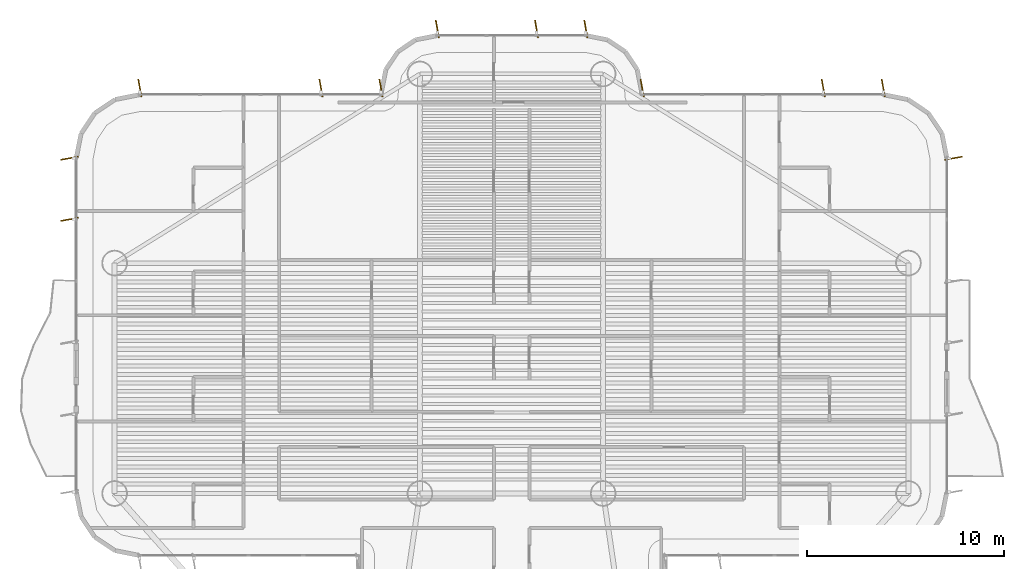
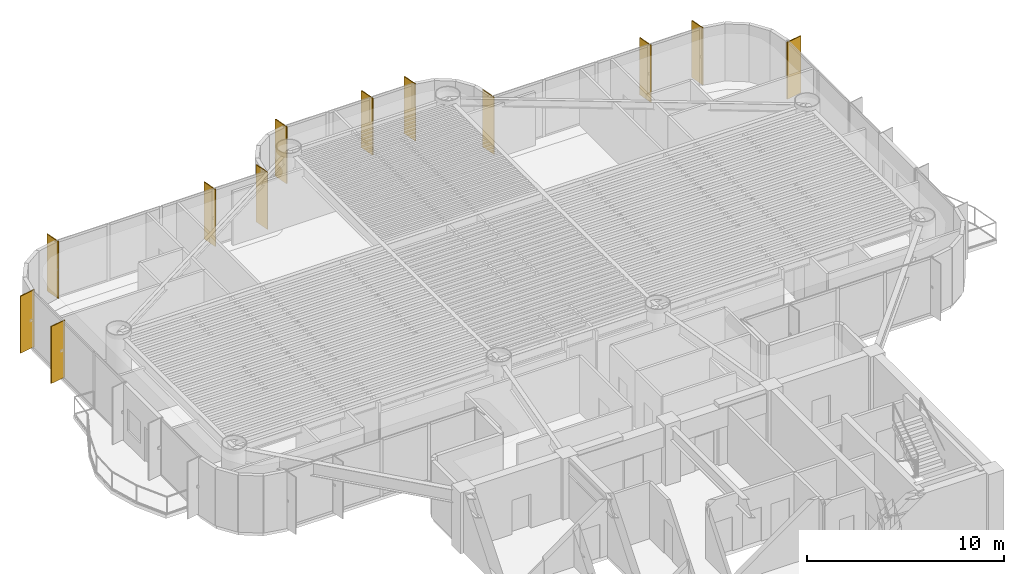
# One storey, part 17 of 17: 12 shading devices.
"""IFC4 building model written with IfcOpenShell, lengths in metres."""

import ifcopenshell
import ifcopenshell.guid

model = None  # the IFC model being written
_history = None  # IfcOwnerHistory: only IFC2X3 demands one
_inside = {}  # id of a spatial element -> (the spatial element, [elements in it])
_under = {}  # id of a project, library or spatial element -> (it, [spatial elements below it])
_declared = {}  # id of a project -> (the project, [libraries it declares])
_typed = {}  # id of a type object -> (the type object, [elements of that type])
_made_of = {}  # id of a material, layer set ... -> (it, [elements and type objects made of it])


def new_model(schema):
    """Start an empty IFC model of exactly this schema.

    Asked for "IFC4X3", IfcOpenShell would pick the latest addendum, in which some entities
    have other attributes; the version numbers below select the first issue.
    IFC2X3 requires an IfcOwnerHistory on every rooted entity: one is made here for all.
    """
    global model, _history
    if schema == "IFC4X3":
        model = ifcopenshell.file(schema_version=(4, 3, 0, 0))
    else:
        model = ifcopenshell.file(schema=schema)
    _inside.clear()
    _under.clear()
    _declared.clear()
    _typed.clear()
    _made_of.clear()
    _history = None
    if model.schema == "IFC2X3":
        org = make("IfcOrganization", Name="unknown")
        user = make(
            "IfcPersonAndOrganization",
            ThePerson=make("IfcPerson", FamilyName="unknown"),
            TheOrganization=org,
        )
        app = make(
            "IfcApplication",
            ApplicationDeveloper=org,
            Version="unknown",
            ApplicationFullName="unknown",
            ApplicationIdentifier="unknown",
        )
        _history = make(
            "IfcOwnerHistory",
            OwningUser=user,
            OwningApplication=app,
            ChangeAction="ADDED",
            CreationDate=0,
        )
    return model


def make(cls, **values):
    """One entity of the class cls with the attributes given. An attribute that is None is left unset."""
    return model.create_entity(
        cls, **{name: value for name, value in values.items() if value is not None}
    )


def rooted(cls, **values):
    """An entity with a GlobalId (a new one), such as an element, a storey or a relation."""
    return make(cls, GlobalId=ifcopenshell.guid.new(), OwnerHistory=_history, **values)


def si_unit(unit_type, name, prefix=None):
    """IfcSIUnit, for example si_unit("LENGTHUNIT", "METRE", prefix="MILLI")."""
    return make("IfcSIUnit", UnitType=unit_type, Prefix=prefix, Name=name)


def assignment(units):
    """IfcUnitAssignment: the units of a project."""
    return None if units is None else make("IfcUnitAssignment", Units=units)


def point(xyz):
    """IfcCartesianPoint."""
    return None if xyz is None else make("IfcCartesianPoint", Coordinates=xyz)


def direction(xyz):
    """IfcDirection."""
    return None if xyz is None else make("IfcDirection", DirectionRatios=xyz)


def frame(location, z_axis=None, x_axis=None):
    """IfcAxis2Placement3D, a coordinate frame: its origin and axes. An axis left out is left unset."""
    return make(
        "IfcAxis2Placement3D",
        Location=point(location),
        Axis=direction(z_axis),
        RefDirection=direction(x_axis),
    )


def frame_2d(location, x_axis=None):
    """IfcAxis2Placement2D, a coordinate frame in the plane: its origin and x axis."""
    return make(
        "IfcAxis2Placement2D", Location=point(location), RefDirection=direction(x_axis)
    )


def origin():
    """The frame at (0, 0, 0) with its axes left unset."""
    return frame((0.0, 0.0, 0.0))


def origin_2d():
    """The frame at (0, 0) in the plane with its x axis left unset."""
    return frame_2d((0.0, 0.0))


def place(relative_to, where):
    """IfcLocalPlacement: puts the frame where relative to a parent placement (None: the world)."""
    return make(
        "IfcLocalPlacement", PlacementRelTo=relative_to, RelativePlacement=where
    )


def context(
    kind, dimensions, precision=None, world=None, true_north=None, identifier=None
):
    """IfcGeometricRepresentationContext, for example the 3D "Model" context."""
    return make(
        "IfcGeometricRepresentationContext",
        ContextIdentifier=identifier,
        ContextType=kind,
        CoordinateSpaceDimension=dimensions,
        Precision=precision,
        WorldCoordinateSystem=world,
        TrueNorth=true_north,
    )


def subcontext(parent, identifier, kind, view, scale=None):
    """IfcGeometricRepresentationSubContext, for example "Body" below "Model"."""
    return make(
        "IfcGeometricRepresentationSubContext",
        ContextIdentifier=identifier,
        ContextType=kind,
        ParentContext=parent,
        TargetScale=scale,
        TargetView=view,
    )


def project(units=None, contexts=None):
    """IfcProject with its units and contexts."""
    return rooted(
        "IfcProject",
        Name="project",
        RepresentationContexts=contexts,
        UnitsInContext=assignment(units),
    )


def spatial(cls, under=None, at=None, **own):
    """A site, building, storey or space (cls), placed at a placement, below another one or the project."""
    s = rooted(cls, ObjectPlacement=at, **own)
    if under is not None:
        _under.setdefault(under.id(), (under, []))[1].append(s)
    return s


def profile(cls, at=None, kind="AREA", **sizes):
    """A parametric profile (cls). Its sizes go by their IFC names, for example OverallWidth=200.0."""
    return make(cls, ProfileType=kind, Position=at, **sizes)


def rectangle(**sizes):
    """IfcRectangleProfileDef."""
    return profile("IfcRectangleProfileDef", **sizes)


def extrude(swept, where, along, depth):
    """IfcExtrudedAreaSolid: the profile swept, set in the frame where, extruded along a direction by depth."""
    return make(
        "IfcExtrudedAreaSolid",
        SweptArea=swept,
        Position=where,
        ExtrudedDirection=direction(along),
        Depth=depth,
    )


def shape(context_of_items, identifier, shape_type, items):
    """IfcShapeRepresentation: the items that make up one representation, for example the "Body"."""
    return make(
        "IfcShapeRepresentation",
        ContextOfItems=context_of_items,
        RepresentationIdentifier=identifier,
        RepresentationType=shape_type,
        Items=items,
    )


def source(mapping_origin, context_of_items, identifier, shape_type, items):
    """IfcRepresentationMap: a shape defined once, which mapped items show again and again."""
    return make(
        "IfcRepresentationMap",
        MappingOrigin=mapping_origin,
        MappedRepresentation=shape(context_of_items, identifier, shape_type, items),
    )


def transform(
    local_origin,
    x_axis=None,
    y_axis=None,
    z_axis=None,
    scale=None,
    scale2=None,
    scale3=None,
    uniform=True,
):
    """IfcCartesianTransformationOperator3D, or its non-uniform kind. x_axis, y_axis, z_axis: its Axis1, 2, 3."""
    if uniform:
        return make(
            "IfcCartesianTransformationOperator3D",
            Axis1=direction(x_axis),
            Axis2=direction(y_axis),
            LocalOrigin=point(local_origin),
            Scale=scale,
            Axis3=direction(z_axis),
        )
    return make(
        "IfcCartesianTransformationOperator3DnonUniform",
        Axis1=direction(x_axis),
        Axis2=direction(y_axis),
        LocalOrigin=point(local_origin),
        Scale=scale,
        Axis3=direction(z_axis),
        Scale2=scale2,
        Scale3=scale3,
    )


def mapped(mapping_source, mapping_target):
    """IfcMappedItem: shows the shape of a source again, moved by a transform."""
    return make(
        "IfcMappedItem", MappingSource=mapping_source, MappingTarget=mapping_target
    )


def material(Name=None, Category=None):
    """IfcMaterial."""
    return make("IfcMaterial", Name=Name, Category=Category)


def material_profile(
    of_material, cross_section, Name=None, Category=None, Priority=None
):
    """IfcMaterialProfile: a cross section and its material."""
    return make(
        "IfcMaterialProfile",
        Name=Name,
        Material=of_material,
        Profile=cross_section,
        Priority=Priority,
        Category=Category,
    )


def profile_set(profiles, Name=None, composite=None):
    """IfcMaterialProfileSet."""
    return make(
        "IfcMaterialProfileSet",
        Name=Name,
        MaterialProfiles=profiles,
        CompositeProfile=composite,
    )


def made_of(thing, what):
    """Note that an element or type object is made of a material, layer set ...; save() writes the relation."""
    if what is not None:
        _made_of.setdefault(what.id(), (what, []))[1].append(thing)
    return thing


def type_object(cls, material=None, **own):
    """A type object (cls), such as IfcWallType, which elements share."""
    return made_of(rooted(cls, **own), material)


def element(
    cls,
    number,
    at=None,
    inside=None,
    cuts=None,
    type_object=None,
    material=None,
    context=None,
    identifier="Body",
    shape_type=None,
    held_by="IfcProductDefinitionShape",
    body=None,
    shapes=None,
    **own,
):
    """One element of the class cls, such as IfcWall. Its Tag is "e" and its number.

    at: its placement. inside: the storey or other place that contains it. cuts: it is an
    opening in that element (IfcRelVoidsElement). A single representation is given by context,
    identifier, shape_type and body (its items); several are given by shapes. held_by: the class
    of the entity that holds the representations. save() writes the other relations.
    """
    e = rooted(cls, Tag="e%d" % number, ObjectPlacement=at, **own)
    if body is not None:
        shapes = [shape(context, identifier, shape_type, body)]
    if shapes is not None:
        e.Representation = make(held_by, Representations=shapes)
    if inside is not None:
        _inside.setdefault(inside.id(), (inside, []))[1].append(e)
    if cuts is not None:
        rooted(
            "IfcRelVoidsElement", RelatingBuildingElement=cuts, RelatedOpeningElement=e
        )
    if type_object is not None:
        _typed.setdefault(type_object.id(), (type_object, []))[1].append(e)
    return made_of(e, material)


def aggregate(whole, parts):
    """IfcRelAggregates: a whole, such as a stair, and the parts it consists of."""
    return rooted("IfcRelAggregates", RelatingObject=whole, RelatedObjects=parts)


def save(model, path):
    """Write the relations noted so far, then the file.

    IfcRelAggregates (storeys below a building ...), IfcRelContainedInSpatialStructure (elements
    in a storey), IfcRelDefinesByType, IfcRelAssociatesMaterial and IfcRelDeclares: one each for
    every whole, place, type object, material and project.
    """
    for whole, parts in _under.values():
        aggregate(whole, parts)
    for where, things in _inside.values():
        rooted(
            "IfcRelContainedInSpatialStructure",
            RelatedElements=things,
            RelatingStructure=where,
        )
    for kind, things in _typed.values():
        rooted("IfcRelDefinesByType", RelatedObjects=things, RelatingType=kind)
    for what, things in _made_of.values():
        rooted("IfcRelAssociatesMaterial", RelatedObjects=things, RelatingMaterial=what)
    for by, libraries in _declared.values():
        rooted("IfcRelDeclares", RelatingContext=by, RelatedDefinitions=libraries)
    model.write(path)


model = new_model("IFC4")

# Units and contexts
model_context = context("Model", 3, precision=1e-05, world=origin(), true_north=direction((0.0, 1.0)))
body_context = subcontext(model_context, "Body", "Model", "MODEL_VIEW")
ifc_project = project(units=[si_unit("LENGTHUNIT", "METRE"), si_unit("AREAUNIT", "SQUARE_METRE"), si_unit("VOLUMEUNIT", "CUBIC_METRE"), si_unit("PLANEANGLEUNIT", "RADIAN"), si_unit("MASSUNIT", "GRAM", prefix="KILO")], contexts=[model_context])

# Site, building, storey
site_placement = place(None, origin())
site = spatial("IfcSite", under=ifc_project, at=site_placement, CompositionType="ELEMENT")
building_placement = place(site_placement, origin())
building = spatial("IfcBuilding", under=site, at=building_placement, Name="Brelvock Crest Care Tower", CompositionType="ELEMENT")
storey_placement = place(building_placement, frame((0.0, 0.0, 135.179931640625)))
storey = spatial("IfcBuildingStorey", under=building, at=storey_placement, Name="L34", CompositionType="ELEMENT", Elevation=135.179931640625)

# Shading devices
ifc_material = material(Name="Aluminium 6063-T6", Category="aluminium")
ifc_material_profile = material_profile(ifc_material, rectangle(XDim=0.054931640625, YDim=0.89990234375, at=origin_2d()), Name="FIN55x900")
ifc_profile_set = profile_set([ifc_material_profile], Name="Aluminium 6063-T6")
shading_device_type = type_object("IfcShadingDeviceType", Name="SHD-FIN1", PredefinedType="USERDEFINED", material=ifc_profile_set)
shared_shape = source(origin(), body_context, "Body", "SweptSolid", [
    extrude(rectangle(XDim=0.054931640625, YDim=0.89990234375, at=origin_2d()), origin(), (0.0, 0.0, 1.0), 3.530029296875),
])
for number, where, z_axis, x_axis, name in (
    (1, (13.56005859375, 41.066650390625, 0.0), (0.0, 0.0, 1.0), (-0.173648177667, 0.984807753012, 0.0), "L34 Vertical Sunshade Fin E17B-03"),
    (2, (13.56005859375, 44.169921875, 0.0), (0.0, 0.0, 1.0), (-0.173648177667, 0.984807753012, 0.0), "L34 Vertical Sunshade Fin E17B-04"),
    (3, (17.1298828125, 47.739990234375, 0.0), (0.0, 0.0, 1.0), (0.984807753012, 0.173648177667, 0.0), "L34 Vertical Sunshade Fin E22-01"),
    (4, (26.324951171875, 47.739990234375, 0.0), (0.0, 0.0, 1.0), (0.984807753012, 0.173648177667, 0.0), "L34 Vertical Sunshade Fin E22-04"),
    (5, (29.3701171875, 47.739990234375, 0.0), (0.0, 0.0, 1.0), (0.984807753012, 0.173648177667, 0.0), "L34 Vertical Sunshade Fin E22-05"),
    (6, (32.22998046875, 50.739990234375, 0.0), (0.0, 0.0, 1.0), (0.984807753012, 0.173648177667, 0.0), "L34 Vertical Sunshade Fin E28-01"),
    (7, (37.2666015625, 50.739990234375, 0.0), (0.0, 0.0, 1.0), (0.984807753012, 0.173648177667, 0.0), "L34 Vertical Sunshade Fin E28-03"),
    (8, (39.77001953125, 50.739990234375, 0.0), (0.0, 0.0, 1.0), (0.984807753012, 0.173648177667, 0.0), "L34 Vertical Sunshade Fin E28-04"),
    (9, (42.6298828125, 47.739990234375, 0.0), (0.0, 0.0, 1.0), (0.984807753012, 0.173648177667, 0.0), "L34 Vertical Sunshade Fin E34-01"),
    (10, (51.824951171875, 47.739990234375, 0.0), (0.0, 0.0, 1.0), (0.984807753012, 0.173648177667, 0.0), "L34 Vertical Sunshade Fin E34-04"),
    (11, (54.8701171875, 47.739990234375, 0.0), (0.0, 0.0, 1.0), (0.984807753012, 0.173648177667, 0.0), "L34 Vertical Sunshade Fin E34-05"),
    (12, (58.43994140625, 44.169921875, 0.0), (0.0, 0.0, 1.0), (0.173648177667, -0.984807753012, 0.0), "L34 Vertical Sunshade Fin E39A-01"),
):
    element("IfcShadingDevice", number, at=place(storey_placement, frame(where, z_axis=z_axis, x_axis=x_axis)), inside=storey, type_object=shading_device_type, Name=name, ObjectType="FIN", PredefinedType="USERDEFINED", context=body_context, shape_type="MappedRepresentation", body=[
        mapped(shared_shape, transform((0.0, 0.0, 0.0), x_axis=(1.0, 0.0, 0.0), y_axis=(0.0, 1.0, 0.0), z_axis=(0.0, 0.0, 1.0), scale=1.0)),
    ])

save(model, "model.ifc")
